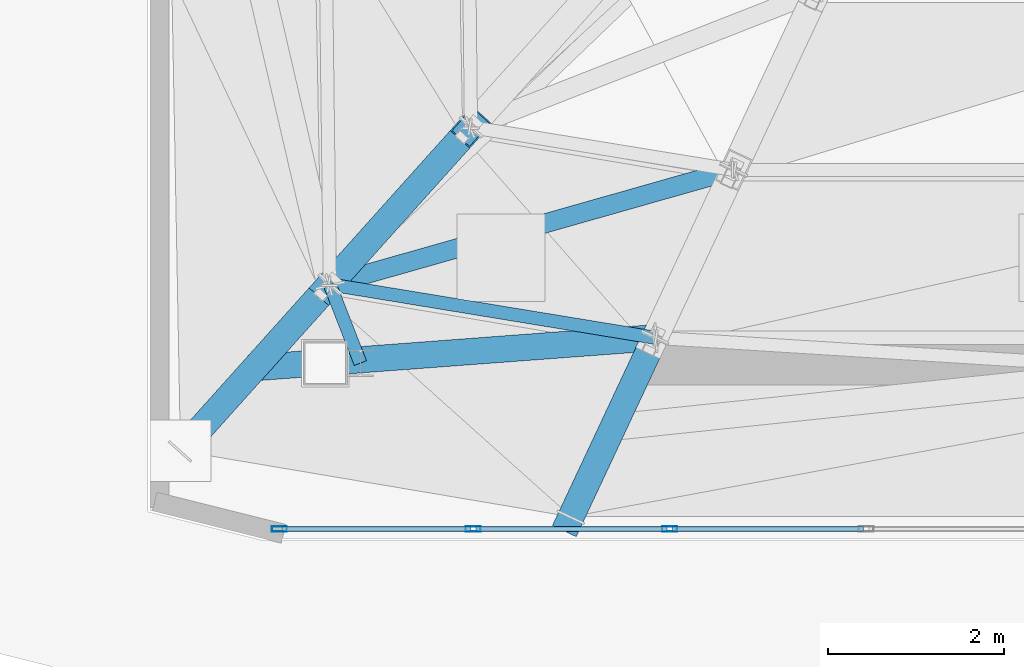
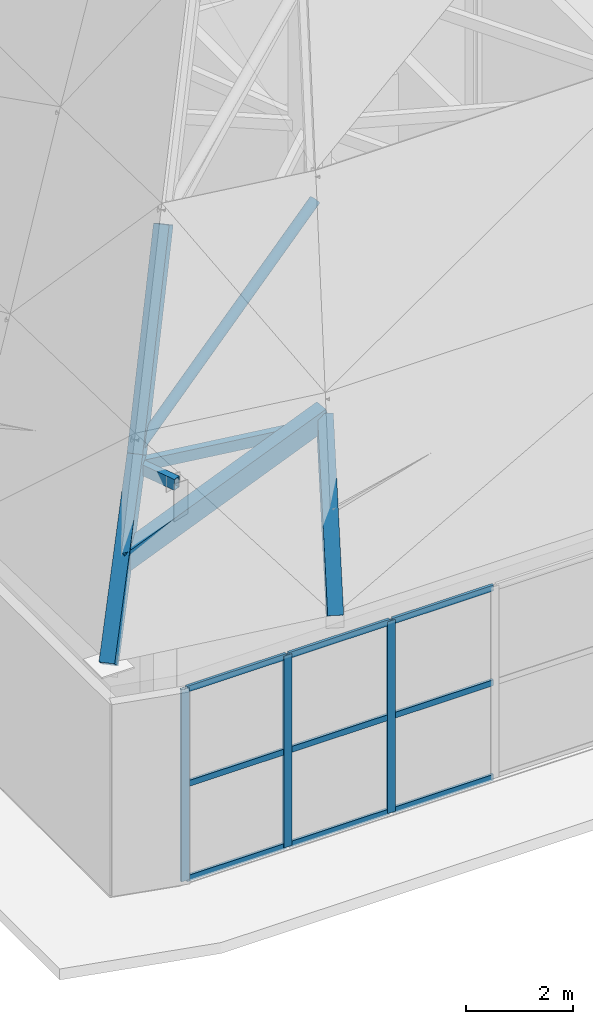
# One storey, part 2 of 30: 19 members, 1 element without a shape of its own.
"""IFC4 building model written with IfcOpenShell, lengths in metres."""

from ifc_helpers import new_model, si_unit, direction, frame, origin, origin_2d, place, context, subcontext, project, spatial, hollow_rectangle, hollow_circle, extrude, material, layer, layer_set, material_profile, profile_set, type_object, element, aggregate, save


model = new_model("IFC4")

# Units and contexts
model_context = context("Model", 3, precision=1e-05, world=origin(), true_north=direction((0.0, 1.0)))
body_context = subcontext(model_context, "Body", "Model", "MODEL_VIEW")
ifc_project = project(units=[si_unit("LENGTHUNIT", "METRE"), si_unit("AREAUNIT", "SQUARE_METRE"), si_unit("VOLUMEUNIT", "CUBIC_METRE"), si_unit("PLANEANGLEUNIT", "RADIAN"), si_unit("MASSUNIT", "GRAM", prefix="KILO")], contexts=[model_context])

# Site, building, storey
site_placement = place(None, origin())
site = spatial("IfcSite", under=ifc_project, at=site_placement, CompositionType="ELEMENT")
building_placement = place(site_placement, origin())
building = spatial("IfcBuilding", under=site, at=building_placement, Name="Haolan Belvedere Tower", CompositionType="ELEMENT")
storey_placement = place(building_placement, frame((0.0, 0.0, 333.0)))
storey = spatial("IfcBuildingStorey", under=building, at=storey_placement, Name="L83", CompositionType="ELEMENT", Elevation=333.0)

# Curtain wall, members
ifc_material_1 = material(Name="Anodised champagne-silver aluminium 6063-T6 and Low-E glass", Category="aluminium")
ifc_layer = layer(ifc_material_1, 0.172119140625, Name="Anodised champagne-silver aluminium 6063-T6 and Low-E glass")
ifc_layer_set = layer_set([ifc_layer], Name="Anodised champagne-silver aluminium 6063-T6 and Low-E glass")
curtain_wall_type = type_object("IfcCurtainWallType", Name="CW-SYS-07", PredefinedType="NOTDEFINED", material=ifc_layer_set)
curtain_wall_placement = place(storey_placement, origin())
curtain_wall = element("IfcCurtainWall", 1, at=curtain_wall_placement, inside=storey, type_object=curtain_wall_type, Name="L83 CW-SYS-07 ribbon curtain wall 2.1", PredefinedType="NOTDEFINED")
ifc_material_2 = material(Name="Anodised aluminium 6063-T6", Category="aluminium")
ifc_material_profile_1 = material_profile(ifc_material_2, hollow_rectangle(XDim=0.06201171875, YDim=0.172119140625, WallThickness=0.00390625, at=origin_2d()), Name="Anodised aluminium 6063-T6")
ifc_profile_set_1 = profile_set([ifc_material_profile_1], Name="Anodised aluminium 6063-T6")
member_type_1 = type_object("IfcMemberType", Name="CW-SYS-07-MUL", PredefinedType="MULLION", material=ifc_profile_set_1)
member_1_placement = place(storey_placement, frame((29.476806640625, 24.510009765625, 0.0), z_axis=(0.0, 0.0, 1.0), x_axis=(0.0, 1.0, 0.0)))
member_1 = element("IfcMember", 2, at=member_1_placement, type_object=member_type_1, Name="CW-07 mullion 1", PredefinedType="MULLION", context=body_context, shape_type="SweptSolid", body=[
    extrude(hollow_rectangle(XDim=0.06201171875, YDim=0.172119140625, WallThickness=0.00390625, at=origin_2d()), origin(), (0.0, 0.0, 1.0), 4.3798828125),
])
member_2_placement = place(storey_placement, frame((31.684326171875, 24.510009765625, 0.0), z_axis=(0.0, 0.0, 1.0), x_axis=(0.0, 1.0, 0.0)))
member_2 = element("IfcMember", 3, at=member_2_placement, type_object=member_type_1, Name="CW-07 mullion 2", PredefinedType="MULLION", context=body_context, shape_type="SweptSolid", body=[
    extrude(hollow_rectangle(XDim=0.06201171875, YDim=0.172119140625, WallThickness=0.00390625, at=origin_2d()), origin(), (0.0, 0.0, 1.0), 4.3798828125),
])
member_3_placement = place(storey_placement, frame((33.9228515625, 24.510009765625, 0.0), z_axis=(0.0, 0.0, 1.0), x_axis=(0.0, 1.0, 0.0)))
member_3 = element("IfcMember", 4, at=member_3_placement, type_object=member_type_1, Name="CW-07 mullion 3", PredefinedType="MULLION", context=body_context, shape_type="SweptSolid", body=[
    extrude(hollow_rectangle(XDim=0.06201171875, YDim=0.172119140625, WallThickness=0.00390625, at=origin_2d()), origin(), (0.0, 0.0, 1.0), 4.3798828125),
])
ifc_material_profile_2 = material_profile(ifc_material_2, hollow_rectangle(XDim=0.05810546875, YDim=0.135009765625, WallThickness=0.00390625, at=origin_2d()), Name="Anodised aluminium 6063-T6")
ifc_profile_set_2 = profile_set([ifc_material_profile_2], Name="Anodised aluminium 6063-T6")
member_type_2 = type_object("IfcMemberType", Name="CW-SYS-07-TRN", PredefinedType="USERDEFINED", material=ifc_profile_set_2)
member_4_placement = place(storey_placement, frame((29.5078125, 24.510009765625, 0.029052734375), z_axis=(1.0, 0.0, 0.0), x_axis=(0.0, 1.0, 0.0)))
member_4 = element("IfcMember", 5, at=member_4_placement, type_object=member_type_2, Name="CW-07 transom 1.1", ObjectType="TRANSOM", PredefinedType="USERDEFINED", context=body_context, shape_type="SweptSolid", body=[
    extrude(hollow_rectangle(XDim=0.05810546875, YDim=0.135009765625, WallThickness=0.00390625, at=origin_2d()), origin(), (0.0, 0.0, 1.0), 2.1455078125),
])
member_5_placement = place(storey_placement, frame((29.5078125, 24.510009765625, 2.18994140625), z_axis=(1.0, 0.0, 0.0), x_axis=(0.0, 1.0, 0.0)))
member_5 = element("IfcMember", 6, at=member_5_placement, type_object=member_type_2, Name="CW-07 transom 1.2", ObjectType="TRANSOM", PredefinedType="USERDEFINED", context=body_context, shape_type="SweptSolid", body=[
    extrude(hollow_rectangle(XDim=0.05810546875, YDim=0.135009765625, WallThickness=0.00390625, at=origin_2d()), origin(), (0.0, 0.0, 1.0), 2.1455078125),
])
member_6_placement = place(storey_placement, frame((29.5078125, 24.510009765625, 4.35107421875), z_axis=(1.0, 0.0, 0.0), x_axis=(0.0, 1.0, 0.0)))
member_6 = element("IfcMember", 7, at=member_6_placement, type_object=member_type_2, Name="CW-07 transom 1.3", ObjectType="TRANSOM", PredefinedType="USERDEFINED", context=body_context, shape_type="SweptSolid", body=[
    extrude(hollow_rectangle(XDim=0.05810546875, YDim=0.135009765625, WallThickness=0.00390625, at=origin_2d()), origin(), (0.0, 0.0, 1.0), 2.1455078125),
])
member_7_placement = place(storey_placement, frame((31.71533203125, 24.510009765625, 0.029052734375), z_axis=(1.0, 0.0, 0.0), x_axis=(0.0, 1.0, 0.0)))
member_7 = element("IfcMember", 8, at=member_7_placement, type_object=member_type_2, Name="CW-07 transom 2.1", ObjectType="TRANSOM", PredefinedType="USERDEFINED", context=body_context, shape_type="SweptSolid", body=[
    extrude(hollow_rectangle(XDim=0.05810546875, YDim=0.135009765625, WallThickness=0.00390625, at=origin_2d()), origin(), (0.0, 0.0, 1.0), 2.176513671875),
])
member_8_placement = place(storey_placement, frame((31.71533203125, 24.510009765625, 2.18994140625), z_axis=(1.0, 0.0, 0.0), x_axis=(0.0, 1.0, 0.0)))
member_8 = element("IfcMember", 9, at=member_8_placement, type_object=member_type_2, Name="CW-07 transom 2.2", ObjectType="TRANSOM", PredefinedType="USERDEFINED", context=body_context, shape_type="SweptSolid", body=[
    extrude(hollow_rectangle(XDim=0.05810546875, YDim=0.135009765625, WallThickness=0.00390625, at=origin_2d()), origin(), (0.0, 0.0, 1.0), 2.176513671875),
])
member_9_placement = place(storey_placement, frame((31.71533203125, 24.510009765625, 4.35107421875), z_axis=(1.0, 0.0, 0.0), x_axis=(0.0, 1.0, 0.0)))
member_9 = element("IfcMember", 10, at=member_9_placement, type_object=member_type_2, Name="CW-07 transom 2.3", ObjectType="TRANSOM", PredefinedType="USERDEFINED", context=body_context, shape_type="SweptSolid", body=[
    extrude(hollow_rectangle(XDim=0.05810546875, YDim=0.135009765625, WallThickness=0.00390625, at=origin_2d()), origin(), (0.0, 0.0, 1.0), 2.176513671875),
])
member_10_placement = place(storey_placement, frame((33.953857421875, 24.510009765625, 0.029052734375), z_axis=(1.0, 0.0, 0.0), x_axis=(0.0, 1.0, 0.0)))
member_10 = element("IfcMember", 11, at=member_10_placement, type_object=member_type_2, Name="CW-07 transom 3.1", ObjectType="TRANSOM", PredefinedType="USERDEFINED", context=body_context, shape_type="SweptSolid", body=[
    extrude(hollow_rectangle(XDim=0.05810546875, YDim=0.135009765625, WallThickness=0.00390625, at=origin_2d()), origin(), (0.0, 0.0, 1.0), 2.176513671875),
])
member_11_placement = place(storey_placement, frame((33.953857421875, 24.510009765625, 2.18994140625), z_axis=(1.0, 0.0, 0.0), x_axis=(0.0, 1.0, 0.0)))
member_11 = element("IfcMember", 12, at=member_11_placement, type_object=member_type_2, Name="CW-07 transom 3.2", ObjectType="TRANSOM", PredefinedType="USERDEFINED", context=body_context, shape_type="SweptSolid", body=[
    extrude(hollow_rectangle(XDim=0.05810546875, YDim=0.135009765625, WallThickness=0.00390625, at=origin_2d()), origin(), (0.0, 0.0, 1.0), 2.176513671875),
])
member_12_placement = place(storey_placement, frame((33.953857421875, 24.510009765625, 4.35107421875), z_axis=(1.0, 0.0, 0.0), x_axis=(0.0, 1.0, 0.0)))
member_12 = element("IfcMember", 13, at=member_12_placement, type_object=member_type_2, Name="CW-07 transom 3.3", ObjectType="TRANSOM", PredefinedType="USERDEFINED", context=body_context, shape_type="SweptSolid", body=[
    extrude(hollow_rectangle(XDim=0.05810546875, YDim=0.135009765625, WallThickness=0.00390625, at=origin_2d()), origin(), (0.0, 0.0, 1.0), 2.176513671875),
])
aggregate(curtain_wall, [member_1, member_2, member_3, member_4, member_5, member_6, member_7, member_8, member_9, member_10, member_11, member_12])

# Members
ifc_material_3 = material(Name="Steel Q355B", Category="steel")
ifc_material_profile_3 = material_profile(ifc_material_3, hollow_rectangle(XDim=0.300048828125, YDim=0.449951171875, WallThickness=0.01611328125, at=origin_2d()), Name="Steel Q355B")
ifc_profile_set_3 = profile_set([ifc_material_profile_3], Name="Steel Q355B")
member_type_3 = type_object("IfcMemberType", Name="MEM-BOX450x300x16", PredefinedType="RAFTER", material=ifc_profile_set_3)
member_13_placement = place(storey_placement, frame((29.20068359375, 26.34814453125, 6.302001953125), z_axis=(0.946072946898, 0.070742482897, 0.316135224644), x_axis=(-0.074566700234, 0.997216028359, 0.0)))
element("IfcMember", 14, at=member_13_placement, inside=storey, type_object=member_type_3, Name="Crown frame Tier-1 diagonal hip rafter 01", PredefinedType="RAFTER", context=body_context, shape_type="SweptSolid", body=[
    extrude(hollow_rectangle(XDim=0.300048828125, YDim=0.449951171875, WallThickness=0.01611328125, at=origin_2d()), origin(), (0.0, 0.0, 1.0), 4.814208984375),
])
member_14_placement = place(storey_placement, frame((28.35009765625, 25.39990234375, 4.780029296875), z_axis=(0.428632908106, 0.477714420614, 0.766852503697), x_axis=(-0.74430823705, 0.667836243595, 0.0)))
element("IfcMember", 15, at=member_14_placement, inside=storey, type_object=member_type_3, Name="Crown frame sloped hip rafter T1-01", PredefinedType="RAFTER", context=body_context, shape_type="SweptSolid", body=[
    extrude(hollow_rectangle(XDim=0.300048828125, YDim=0.449951171875, WallThickness=0.01611328125, at=origin_2d()), origin(), (0.0, 0.0, 1.0), 3.969482421875),
])
member_15_placement = place(storey_placement, frame((32.800048828125, 24.64990234375, 4.780029296875), z_axis=(0.252319425848, 0.538492084145, 0.803965908887), x_axis=(-0.90552273529, 0.424297744365, 0.0)))
element("IfcMember", 16, at=member_15_placement, inside=storey, type_object=member_type_3, Name="Crown frame sloped hip rafter T1-02", PredefinedType="RAFTER", context=body_context, shape_type="SweptSolid", body=[
    extrude(hollow_rectangle(XDim=0.300048828125, YDim=0.449951171875, WallThickness=0.01611328125, at=origin_2d()), origin(), (0.0, 0.0, 1.0), 3.7861328125),
])
member_16_placement = place(storey_placement, frame((30.051513671875, 27.296142578125, 7.823974609375), z_axis=(0.370806659804, 0.413258561033, 0.831696929643), x_axis=(-0.744301734368, 0.66784349081, 0.0)))
element("IfcMember", 17, at=member_16_placement, inside=storey, type_object=member_type_3, Name="Crown frame sloped hip rafter T2-01", PredefinedType="RAFTER", context=body_context, shape_type="SweptSolid", body=[
    extrude(hollow_rectangle(XDim=0.300048828125, YDim=0.449951171875, WallThickness=0.01611328125, at=origin_2d()), origin(), (0.0, 0.0, 1.0), 4.336181640625),
])
ifc_material_profile_4 = material_profile(ifc_material_3, hollow_circle(Radius=0.109619140625, WallThickness=0.010009765625, at=origin_2d()), Name="Steel Q355B")
ifc_profile_set_4 = profile_set([ifc_material_profile_4], Name="Steel Q355B")
member_type_4 = type_object("IfcMemberType", Name="MEM-CHS219x10", PredefinedType="STRUT", material=ifc_profile_set_4)
member_17_placement = place(storey_placement, frame((30.051513671875, 27.296142578125, 7.924072265625), z_axis=(0.791279399446, 0.224435916917, 0.56877537852), x_axis=(-0.272872771557, 0.962050128914, 0.0)))
element("IfcMember", 18, at=member_17_placement, inside=storey, type_object=member_type_4, Name="Crown frame wind brace strut T2-01", PredefinedType="STRUT", context=body_context, shape_type="SweptSolid", body=[
    extrude(hollow_circle(Radius=0.109619140625, WallThickness=0.010009765625, at=origin_2d()), origin(), (0.0, 0.0, 1.0), 5.813232421875),
])
ifc_material_profile_5 = material_profile(ifc_material_3, hollow_rectangle(XDim=0.14990234375, YDim=0.25, WallThickness=0.010009765625, at=origin_2d()), Name="Steel Q355B")
ifc_profile_set_5 = profile_set([ifc_material_profile_5], Name="Steel Q355B")
member_type_5 = type_object("IfcMemberType", Name="MEM-RHS250x150x10", PredefinedType="PURLIN", material=ifc_profile_set_5)
member_18_placement = place(storey_placement, frame((30.39990234375, 26.39990234375, 7.583984375), z_axis=(-0.36231148077, 0.932057074917, 0.0), x_axis=(-0.932057074917, -0.36231148077, 0.0)))
element("IfcMember", 19, at=member_18_placement, inside=storey, type_object=member_type_5, Name="Crown Tier-1 post-to-ring chord 01", PredefinedType="STRUT", context=body_context, shape_type="SweptSolid", body=[
    extrude(hollow_rectangle(XDim=0.14990234375, YDim=0.25, WallThickness=0.010009765625, at=origin_2d()), origin(), (0.0, 0.0, 1.0), 0.961669921875),
])
member_19_placement = place(storey_placement, frame((30.051513671875, 27.296142578125, 7.583984375), z_axis=(0.986817789709, -0.161835255474, 0.0), x_axis=(0.161835255474, 0.986817789709, 0.0)))
element("IfcMember", 20, at=member_19_placement, inside=storey, type_object=member_type_5, Name="Crown frame horizontal ring purlin T1-01", PredefinedType="PURLIN", context=body_context, shape_type="SweptSolid", body=[
    extrude(hollow_rectangle(XDim=0.14990234375, YDim=0.25, WallThickness=0.010009765625, at=origin_2d()), origin(), (0.0, 0.0, 1.0), 3.75341796875),
])

save(model, "model.ifc")
